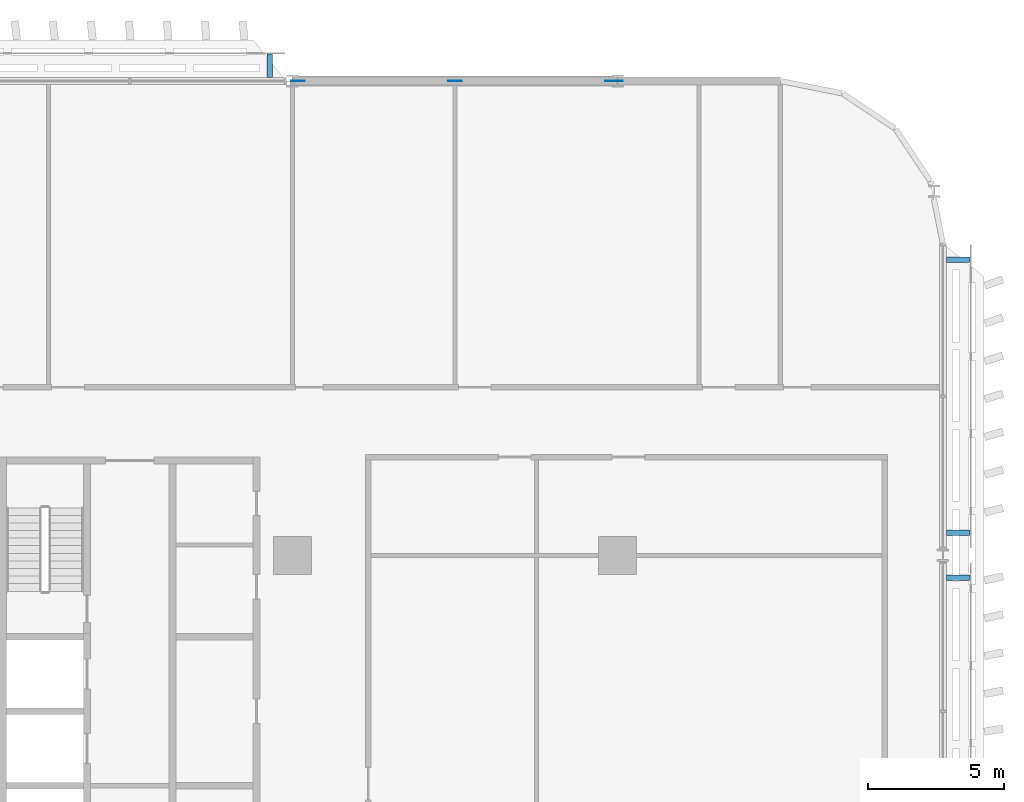
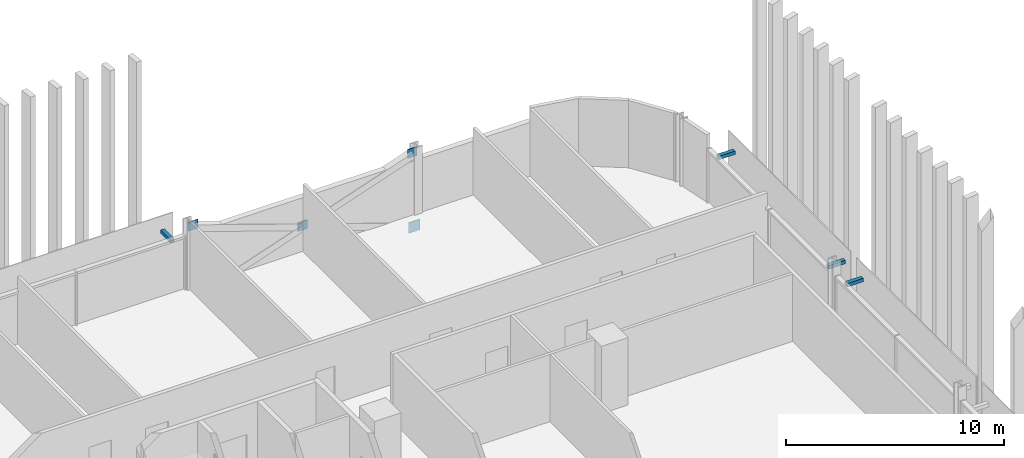
# One storey, part 21 of 31: 8 discrete accessories.
"""IFC4 building model written with IfcOpenShell, lengths in metres."""

from ifc_helpers import new_model, si_unit, direction, frame, origin, origin_2d, place, context, subcontext, project, spatial, rectangle, extrude, material, layer, layer_set, type_object, element, save


model = new_model("IFC4")

# Units and contexts
model_context = context("Model", 3, precision=1e-05, world=origin(), true_north=direction((0.0, 1.0)))
body_context = subcontext(model_context, "Body", "Model", "MODEL_VIEW")
ifc_project = project(units=[si_unit("LENGTHUNIT", "METRE"), si_unit("AREAUNIT", "SQUARE_METRE"), si_unit("VOLUMEUNIT", "CUBIC_METRE"), si_unit("PLANEANGLEUNIT", "RADIAN"), si_unit("MASSUNIT", "GRAM", prefix="KILO")], contexts=[model_context])

# Site, building, storey
site_placement = place(None, origin())
site = spatial("IfcSite", under=ifc_project, at=site_placement, CompositionType="ELEMENT")
building_placement = place(site_placement, origin())
building = spatial("IfcBuilding", under=site, at=building_placement, Name="Mahtab Terrace Research Tower", CompositionType="ELEMENT")
storey_placement = place(building_placement, frame((0.0, 0.0, 84.800048828125)))
storey = spatial("IfcBuildingStorey", under=building, at=storey_placement, Name="L19", CompositionType="ELEMENT", Elevation=84.800048828125)

# Discrete accessories
ifc_material_1 = material(Name="Black anodised aluminium", Category="aluminium")
discrete_accessory_type_1 = type_object("IfcDiscreteAccessoryType", Name="Facade bracket", PredefinedType="BRACKET", material=ifc_material_1)
for number, where, z_axis, x_axis, name in (
    (1, (29.172119140625, 29.5625, 2.703125), (0.0, 0.0, 1.0), (-1.0, 0.0, 0.0), "Screen bracket Girih screen L19 N6"),
    (2, (54.5625, 10.672119140625, 2.703125), (0.0, 0.0, 1.0), (0.0, 1.0, 0.0), "Screen bracket Girih screen L19 E38"),
    (3, (54.5625, 12.327880859375, 2.703125), (0.0, 0.0, 1.0), (0.0, 1.0, 0.0), "Screen bracket Girih screen L19 E39"),
    (4, (54.5625, 22.39990234375, 2.703125), (0.0, 0.0, 1.0), (0.0, 1.0, 0.0), "Screen bracket Girih screen L19 E39"),
):
    element("IfcDiscreteAccessory", number, at=place(storey_placement, frame(where, z_axis=z_axis, x_axis=x_axis)), inside=storey, type_object=discrete_accessory_type_1, Name=name, PredefinedType="BRACKET", context=body_context, shape_type="SweptSolid", body=[
        extrude(rectangle(XDim=0.199951171875, YDim=0.875, at=origin_2d()), origin(), (0.0, 0.0, 1.0), 0.199951171875),
    ])
ifc_material_2 = material(Name="Steel ASTM A992 Gr 50", Category="steel")
ifc_layer_1 = layer(ifc_material_2, 0.030029296875)
ifc_layer_set_1 = layer_set([ifc_layer_1], Name="Gusset plate 500x500x30")
discrete_accessory_type_2 = type_object("IfcDiscreteAccessoryType", Name="Gusset plate 500x500x30", PredefinedType="USERDEFINED", material=ifc_layer_set_1)
for number, where, z_axis, x_axis, name in (
    (5, (30.209716796875, 29.0, 3.131591796875), (0.0, 0.0, 1.0), (1.0, 0.0, 0.0), "Gusset plate"),
    (6, (36.0, 29.0, 1.08154296875), (0.0, 0.0, 1.0), (1.0, 0.0, 0.0), "Gusset plate"),
    (7, (41.790283203125, 29.0, 3.131591796875), (0.0, 0.0, 1.0), (1.0, 0.0, 0.0), "Gusset plate"),
):
    element("IfcDiscreteAccessory", number, at=place(storey_placement, frame(where, z_axis=z_axis, x_axis=x_axis)), inside=storey, type_object=discrete_accessory_type_2, Name=name, ObjectType="GUSSET PLATE", PredefinedType="USERDEFINED", context=body_context, shape_type="SweptSolid", body=[
        extrude(rectangle(XDim=0.5, YDim=0.030029296875, at=origin_2d()), origin(), (0.0, 0.0, 1.0), 0.5),
    ])
ifc_layer_2 = layer(ifc_material_2, 0.030029296875)
ifc_layer_set_2 = layer_set([ifc_layer_2], Name="Gusset plate 600x600x30")
discrete_accessory_type_3 = type_object("IfcDiscreteAccessoryType", Name="Gusset plate 600x600x30", PredefinedType="USERDEFINED", material=ifc_layer_set_2)
discrete_accessory_placement = place(storey_placement, frame((41.895263671875, 29.0, -1.072998046875), z_axis=(0.0, 0.0, 1.0), x_axis=(1.0, 0.0, 0.0)))
element("IfcDiscreteAccessory", 8, at=discrete_accessory_placement, inside=storey, type_object=discrete_accessory_type_3, Name="Gusset plate", ObjectType="GUSSET PLATE", PredefinedType="USERDEFINED", context=body_context, shape_type="SweptSolid", body=[
    extrude(rectangle(XDim=0.60009765625, YDim=0.030029296875, at=origin_2d()), origin(), (0.0, 0.0, 1.0), 0.60009765625),
])

save(model, "model.ifc")
